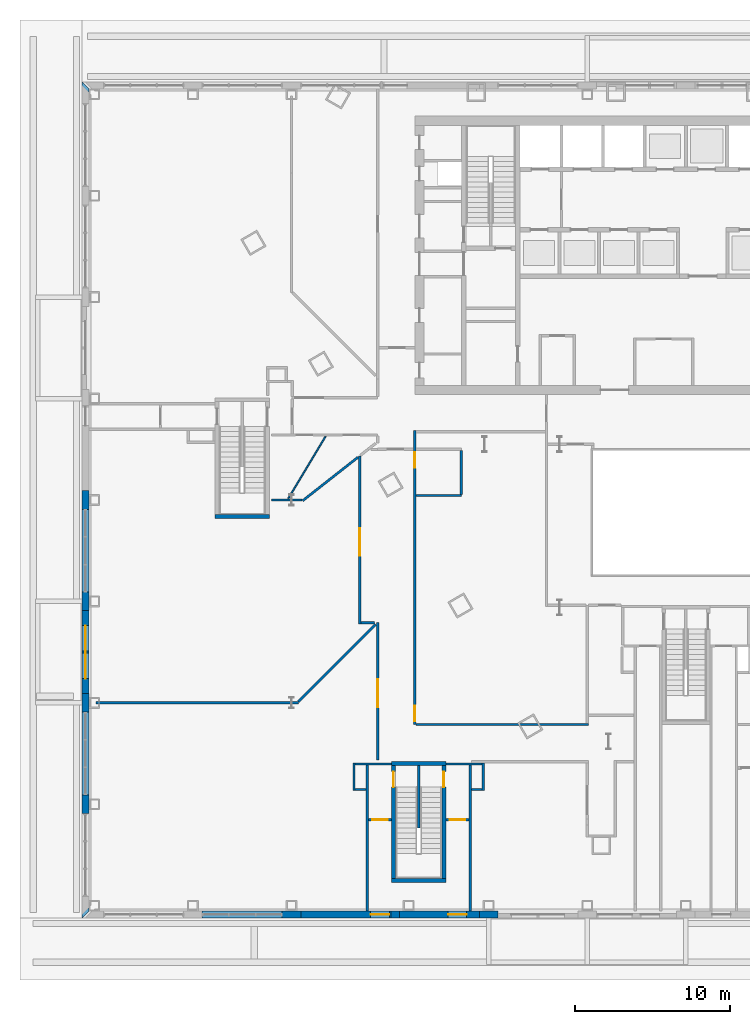
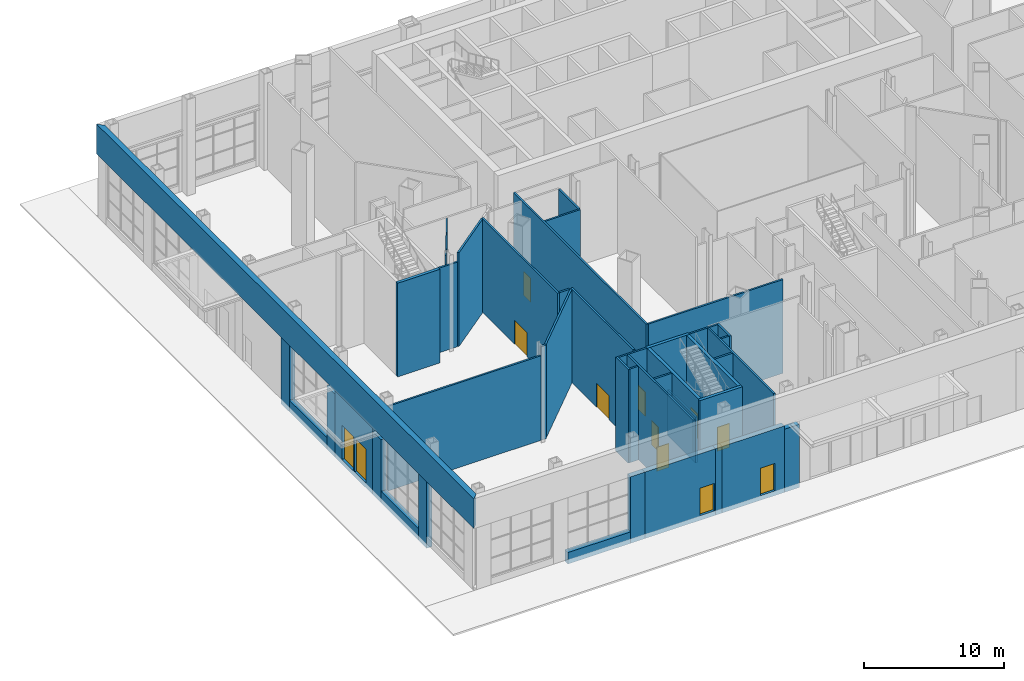
# One storey, part 16 of 34: 43 walls, 12 doors, 12 openings.
"""IFC4 building model written with IfcOpenShell, lengths in metres."""

from ifc_helpers import new_model, si_unit, direction, frame, frame_2d, origin, place, context, subcontext, project, spatial, polyline, rectangle, outline, extrude, material, layer, layer_set, type_object, element, fill, save


model = new_model("IFC4")

# Units and contexts
model_context = context("Model", 3, precision=1e-05, world=origin(), true_north=direction((0.0, 1.0)))
body_context = subcontext(model_context, "Body", "Model", "MODEL_VIEW")
ifc_project = project(units=[si_unit("LENGTHUNIT", "METRE"), si_unit("AREAUNIT", "SQUARE_METRE"), si_unit("VOLUMEUNIT", "CUBIC_METRE"), si_unit("PLANEANGLEUNIT", "RADIAN"), si_unit("MASSUNIT", "GRAM", prefix="KILO")], contexts=[model_context])

# Site, building, storey
site_placement = place(None, origin())
site = spatial("IfcSite", under=ifc_project, at=site_placement, CompositionType="ELEMENT")
building_placement = place(site_placement, origin())
building = spatial("IfcBuilding", under=site, at=building_placement, Name="Njiva Tower", CompositionType="ELEMENT")
storey_placement = place(building_placement, origin())
storey = spatial("IfcBuildingStorey", under=building, at=storey_placement, Name="L00", CompositionType="ELEMENT", Elevation=0.0)

# Wall, opening, door
ifc_material_1 = material(Name="Blockwork", Category="masonry")
ifc_layer_1 = layer(ifc_material_1, 0.15)
ifc_layer_set_1 = layer_set([ifc_layer_1], Name="Blockwork")
wall_type_1 = type_object("IfcWallType", Name="WT2 Lobby partition 150", PredefinedType="PARTITIONING", material=ifc_layer_set_1)
wall_1_placement = place(storey_placement, frame((-20.5, -27.45, 0.0), z_axis=(0.0, 0.0, 1.0), x_axis=(1.0, 0.0, 0.0)))
wall_1 = element("IfcWall", 1, at=wall_1_placement, inside=storey, type_object=wall_type_1, Name="Stair D upper vestibule wall", PredefinedType="PARTITIONING", context=body_context, shape_type="SweptSolid", body=[
    extrude(rectangle(XDim=1.5, YDim=0.15, at=frame_2d((0.75, 0.0))), origin(), (0.0, 0.0, 1.0), 8.18),
])
opening_1_placement = place(wall_1_placement, frame((0.25, 0.0, 0.0)))
opening_1 = element("IfcOpeningElement", 2, at=opening_1_placement, cuts=wall_1, Name="Opening L00-D949", PredefinedType="OPENING", context=body_context, shape_type="SweptSolid", body=[
    extrude(rectangle(XDim=1.0, YDim=2.1, at=frame_2d((0.5, 1.05))), frame((0.0, 0.085, 0.0), z_axis=(0.0, -1.0, 0.0), x_axis=(1.0, 0.0, 0.0)), (0.0, 0.0, 1.0), 0.17),
])
ifc_material_2 = material(Name="Glazed steel fire door", Category="steel")
door_type_1 = type_object("IfcDoorType", Name="D11 Stair passage door 1000x2100 glazed", OperationType="SINGLE_SWING_LEFT", PredefinedType="DOOR", material=ifc_material_2)
door_1_placement = place(opening_1_placement, origin())
door_1 = element("IfcDoor", 3, at=door_1_placement, inside=storey, type_object=door_type_1, Name="Stair D passage door", OperationType="SINGLE_SWING_LEFT", OverallHeight=2.1, OverallWidth=1.0, PredefinedType="DOOR", context=body_context, shape_type="SweptSolid", body=[
    extrude(rectangle(XDim=1.0, YDim=2.1, at=frame_2d((0.5, 1.05))), frame((0.0, 0.025, 0.0), z_axis=(0.0, -1.0, 0.0), x_axis=(1.0, 0.0, 0.0)), (0.0, 0.0, 1.0), 0.05),
])
fill(opening_1, door_1)

wall_2_placement = place(storey_placement, frame((-15.5, -27.45, 0.0), z_axis=(0.0, 0.0, 1.0), x_axis=(1.0, 0.0, 0.0)))
wall_2 = element("IfcWall", 4, at=wall_2_placement, inside=storey, type_object=wall_type_1, Name="Stair D basement vestibule wall", PredefinedType="PARTITIONING", context=body_context, shape_type="SweptSolid", body=[
    extrude(rectangle(XDim=1.5, YDim=0.15, at=frame_2d((0.75, 0.0))), origin(), (0.0, 0.0, 1.0), 8.18),
])
opening_2_placement = place(wall_2_placement, frame((0.25, 0.0, 0.0)))
opening_2 = element("IfcOpeningElement", 5, at=opening_2_placement, cuts=wall_2, Name="Opening L00-D951", PredefinedType="OPENING", context=body_context, shape_type="SweptSolid", body=[
    extrude(rectangle(XDim=1.0, YDim=2.1, at=frame_2d((0.5, 1.05))), frame((0.0, 0.085, 0.0), z_axis=(0.0, -1.0, 0.0), x_axis=(1.0, 0.0, 0.0)), (0.0, 0.0, 1.0), 0.17),
])
door_2_placement = place(opening_2_placement, origin())
door_2 = element("IfcDoor", 6, at=door_2_placement, inside=storey, type_object=door_type_1, Name="Stair D passage door", OperationType="SINGLE_SWING_LEFT", OverallHeight=2.1, OverallWidth=1.0, PredefinedType="DOOR", context=body_context, shape_type="SweptSolid", body=[
    extrude(rectangle(XDim=1.0, YDim=2.1, at=frame_2d((0.5, 1.05))), frame((0.0, 0.025, 0.0), z_axis=(0.0, -1.0, 0.0), x_axis=(1.0, 0.0, 0.0)), (0.0, 0.0, 1.0), 0.05),
])
fill(opening_2, door_2)

# Walls
ifc_material_3 = material(Name="Gypsum board on steel studs", Category="gypsum")
ifc_layer_2 = layer(ifc_material_3, 0.1)
ifc_layer_set_2 = layer_set([ifc_layer_2], Name="Gypsum board on steel studs")
wall_type_2 = type_object("IfcWallType", Name="WT20 Gypsum partition 100", PredefinedType="PARTITIONING", material=ifc_layer_set_2)
wall_3_placement = place(storey_placement, frame((-25.672, -6.699, 0.0), z_axis=(0.0, 0.0, 1.0), x_axis=(0.5148425828, 0.857284733875, 0.0)))
element("IfcWall", 7, at=wall_3_placement, inside=storey, type_object=wall_type_2, Name="Partition L00-P010", PredefinedType="PARTITIONING", context=body_context, shape_type="SweptSolid", body=[
    extrude(rectangle(XDim=4.6636, YDim=0.1, at=frame_2d((2.3318, 0.0))), origin(), (0.0, 0.0, 1.0), 8.18),
])
ifc_layer_3 = layer(ifc_material_3, 0.15)
ifc_layer_set_3 = layer_set([ifc_layer_3], Name="Gypsum board on steel studs")
wall_type_3 = type_object("IfcWallType", Name="WT21 Compartment wall 150", PredefinedType="PARTITIONING", material=ifc_layer_set_3)
wall_4_placement = place(storey_placement, frame((-38.1, -19.9, 0.0), z_axis=(0.0, 0.0, 1.0), x_axis=(1.0, 0.0, 0.0)))
element("IfcWall", 8, at=wall_4_placement, inside=storey, type_object=wall_type_3, Name="Partition L00-P001", PredefinedType="PARTITIONING", context=body_context, shape_type="SweptSolid", body=[
    extrude(rectangle(XDim=12.633, YDim=0.15, at=frame_2d((6.3165, 0.0))), origin(), (0.0, 0.0, 1.0), 7.39),
])
wall_5_placement = place(storey_placement, frame((-25.467, -19.9, 0.0), z_axis=(0.0, 0.0, 1.0), x_axis=(1.0, 0.0, 0.0)))
element("IfcWall", 9, at=wall_5_placement, inside=storey, type_object=wall_type_3, Name="Partition L00-P001A", PredefinedType="PARTITIONING", context=body_context, shape_type="SweptSolid", body=[
    extrude(rectangle(XDim=0.44, YDim=0.15, at=frame_2d((0.22, 0.0))), origin(), (0.0, 0.0, 1.0), 8.18),
])
wall_6_placement = place(storey_placement, frame((-26.75, -6.8, 0.0), z_axis=(0.0, 0.0, 1.0), x_axis=(1.0, 0.0, 0.0)))
element("IfcWall", 10, at=wall_6_placement, inside=storey, type_object=wall_type_3, Name="Partition L00-P006", PredefinedType="PARTITIONING", context=body_context, shape_type="SweptSolid", body=[
    extrude(rectangle(XDim=1.959, YDim=0.15, at=frame_2d((0.9795, 0.0))), origin(), (0.0, 0.0, 1.0), 7.39),
])
wall_7_placement = place(storey_placement, frame((-25.027, -19.825, 0.0), z_axis=(0.0, 0.0, 1.0), x_axis=(0.707106781187, 0.707106781187, 0.0)))
element("IfcWall", 11, at=wall_7_placement, inside=storey, type_object=wall_type_3, Name="Partition L00-P016", PredefinedType="PARTITIONING", context=body_context, shape_type="SweptSolid", body=[
    extrude(rectangle(XDim=7.0697, YDim=0.15, at=frame_2d((3.5348, 0.0))), origin(), (0.0, 0.0, 1.0), 8.18),
])
wall_8_placement = place(storey_placement, frame((-24.745, -6.846, 0.0), z_axis=(0.0, 0.0, 1.0), x_axis=(0.786333607762, 0.617802118242, 0.0)))
element("IfcWall", 12, at=wall_8_placement, inside=storey, type_object=wall_type_3, Name="Partition L00-P017", PredefinedType="PARTITIONING", context=body_context, shape_type="SweptSolid", body=[
    extrude(rectangle(XDim=4.5451, YDim=0.15, at=frame_2d((2.2726, 0.0))), origin(), (0.0, 0.0, 1.0), 8.18),
])

# Wall, opening, door
wall_9_placement = place(storey_placement, frame((-21.05, -14.803, 0.0), z_axis=(0.0, 0.0, 1.0), x_axis=(0.0, 1.0, 0.0)))
wall_9 = element("IfcWall", 13, at=wall_9_placement, inside=storey, type_object=wall_type_3, Name="Partition L00-P018", PredefinedType="PARTITIONING", context=body_context, shape_type="SweptSolid", body=[
    extrude(rectangle(XDim=10.86, YDim=0.15, at=frame_2d((5.43, 0.0))), origin(), (0.0, 0.0, 1.0), 8.18),
])
opening_3_placement = place(wall_9_placement, frame((4.392, 0.0, 0.0)))
opening_3 = element("IfcOpeningElement", 14, at=opening_3_placement, cuts=wall_9, Name="Opening L00-D005", PredefinedType="OPENING", context=body_context, shape_type="SweptSolid", body=[
    extrude(rectangle(XDim=1.8, YDim=2.1, at=frame_2d((0.9, 1.05))), frame((0.0, 0.085, 0.0), z_axis=(0.0, -1.0, 0.0), x_axis=(1.0, 0.0, 0.0)), (0.0, 0.0, 1.0), 0.17),
])
ifc_material_4 = material(Name="Steel fire door set", Category="steel")
door_type_2 = type_object("IfcDoorType", Name="D38 Fire door 1800x2100", OperationType="DOUBLE_DOOR_SINGLE_SWING", PredefinedType="DOOR", material=ifc_material_4)
door_3_placement = place(opening_3_placement, origin())
door_3 = element("IfcDoor", 15, at=door_3_placement, inside=storey, type_object=door_type_2, Name="Door L00-D005", OperationType="DOUBLE_DOOR_SINGLE_SWING", OverallHeight=2.1, OverallWidth=1.8, PredefinedType="DOOR", context=body_context, shape_type="SweptSolid", body=[
    extrude(rectangle(XDim=1.8, YDim=2.1, at=frame_2d((0.9, 1.05))), frame((0.0, 0.025, 0.0), z_axis=(0.0, -1.0, 0.0), x_axis=(1.0, 0.0, 0.0)), (0.0, 0.0, 1.0), 0.05),
])
fill(opening_3, door_3)

# Wall
wall_10_placement = place(storey_placement, frame((-20.975, -14.728, 0.0), z_axis=(0.0, 0.0, 1.0), x_axis=(1.0, 0.0, 0.0)))
element("IfcWall", 16, at=wall_10_placement, inside=storey, type_object=wall_type_3, Name="Partition L00-P020", PredefinedType="PARTITIONING", context=body_context, shape_type="SweptSolid", body=[
    extrude(rectangle(XDim=0.864, YDim=0.15, at=frame_2d((0.432, 0.0))), origin(), (0.0, 0.0, 1.0), 8.18),
])

# Wall, opening, door
wall_11_placement = place(storey_placement, frame((-19.9, -23.6, 0.0), z_axis=(0.0, 0.0, 1.0), x_axis=(0.0, 1.0, 0.0)))
wall_11 = element("IfcWall", 17, at=wall_11_placement, inside=storey, type_object=wall_type_3, Name="Partition L00-P023", PredefinedType="PARTITIONING", context=body_context, shape_type="SweptSolid", body=[
    extrude(rectangle(XDim=8.902, YDim=0.15, at=frame_2d((4.451, 0.0))), origin(), (0.0, 0.0, 1.0), 8.18),
])
opening_4_placement = place(wall_11_placement, frame((3.424, 0.0, 0.0)))
opening_4 = element("IfcOpeningElement", 18, at=opening_4_placement, cuts=wall_11, Name="Opening L00-D006", PredefinedType="OPENING", context=body_context, shape_type="SweptSolid", body=[
    extrude(rectangle(XDim=1.8, YDim=2.1, at=frame_2d((0.9, 1.05))), frame((0.0, 0.085, 0.0), z_axis=(0.0, -1.0, 0.0), x_axis=(1.0, 0.0, 0.0)), (0.0, 0.0, 1.0), 0.17),
])
door_4_placement = place(opening_4_placement, origin())
door_4 = element("IfcDoor", 19, at=door_4_placement, inside=storey, type_object=door_type_2, Name="Door L00-D006", OperationType="DOUBLE_DOOR_SINGLE_SWING", OverallHeight=2.1, OverallWidth=1.8, PredefinedType="DOOR", context=body_context, shape_type="SweptSolid", body=[
    extrude(rectangle(XDim=1.8, YDim=2.1, at=frame_2d((0.9, 1.05))), frame((0.0, 0.025, 0.0), z_axis=(0.0, -1.0, 0.0), x_axis=(1.0, 0.0, 0.0)), (0.0, 0.0, 1.0), 0.05),
])
fill(opening_4, door_4)

# Wall, openings, doors
wall_12_placement = place(storey_placement, frame((-17.5, -21.296, 0.0), z_axis=(0.0, 0.0, 1.0), x_axis=(0.0, 1.0, 0.0)))
wall_12 = element("IfcWall", 20, at=wall_12_placement, inside=storey, type_object=wall_type_3, Name="Partition L00-P029", PredefinedType="PARTITIONING", context=body_context, shape_type="SweptSolid", body=[
    extrude(rectangle(XDim=18.971, YDim=0.15, at=frame_2d((9.4855, 0.0))), origin(), (0.0, 0.0, 1.0), 8.18),
])
opening_5_placement = place(wall_12_placement, frame((0.2, 0.0, 0.0)))
opening_5 = element("IfcOpeningElement", 21, at=opening_5_placement, cuts=wall_12, Name="Opening L00-D010", PredefinedType="OPENING", context=body_context, shape_type="SweptSolid", body=[
    extrude(rectangle(XDim=1.0, YDim=2.1, at=frame_2d((0.5, 1.05))), frame((0.0, 0.085, 0.0), z_axis=(0.0, -1.0, 0.0), x_axis=(1.0, 0.0, 0.0)), (0.0, 0.0, 1.0), 0.17),
])
opening_6_placement = place(wall_12_placement, frame((16.583, 0.0, 0.0)))
opening_6 = element("IfcOpeningElement", 22, at=opening_6_placement, cuts=wall_12, Name="Opening L00-D011", PredefinedType="OPENING", context=body_context, shape_type="SweptSolid", body=[
    extrude(rectangle(XDim=1.0, YDim=2.1, at=frame_2d((0.5, 1.05))), frame((0.0, 0.085, 0.0), z_axis=(0.0, -1.0, 0.0), x_axis=(1.0, 0.0, 0.0)), (0.0, 0.0, 1.0), 0.17),
])
door_type_3 = type_object("IfcDoorType", Name="D37 Fire door 1000x2100", OperationType="SINGLE_SWING_LEFT", PredefinedType="DOOR", material=ifc_material_4)
door_5_placement = place(opening_5_placement, origin())
door_5 = element("IfcDoor", 23, at=door_5_placement, inside=storey, type_object=door_type_3, Name="Door L00-D010", OperationType="SINGLE_SWING_LEFT", OverallHeight=2.1, OverallWidth=1.0, PredefinedType="DOOR", context=body_context, shape_type="SweptSolid", body=[
    extrude(rectangle(XDim=1.0, YDim=2.1, at=frame_2d((0.5, 1.05))), frame((0.0, 0.025, 0.0), z_axis=(0.0, -1.0, 0.0), x_axis=(1.0, 0.0, 0.0)), (0.0, 0.0, 1.0), 0.05),
])
fill(opening_5, door_5)
door_6_placement = place(opening_6_placement, origin())
door_6 = element("IfcDoor", 24, at=door_6_placement, inside=storey, type_object=door_type_3, Name="Door L00-D011", OperationType="SINGLE_SWING_RIGHT", OverallHeight=2.1, OverallWidth=1.0, PredefinedType="DOOR", context=body_context, shape_type="SweptSolid", body=[
    extrude(rectangle(XDim=1.0, YDim=2.1, at=frame_2d((0.5, 1.05))), frame((0.0, 0.025, 0.0), z_axis=(0.0, -1.0, 0.0), x_axis=(1.0, 0.0, 0.0)), (0.0, 0.0, 1.0), 0.05),
])
fill(opening_6, door_6)

# Walls
wall_13_placement = place(storey_placement, frame((-17.425, -6.513, 0.0), z_axis=(0.0, 0.0, 1.0), x_axis=(1.0, 0.0, 0.0)))
element("IfcWall", 25, at=wall_13_placement, inside=storey, type_object=wall_type_3, Name="Partition L00-P030", PredefinedType="PARTITIONING", context=body_context, shape_type="SweptSolid", body=[
    extrude(rectangle(XDim=2.925, YDim=0.15, at=frame_2d((1.4625, 0.0))), origin(), (0.0, 0.0, 1.0), 8.18),
])
wall_14_placement = place(storey_placement, frame((-17.425, -21.3, 0.0), z_axis=(0.0, 0.0, 1.0), x_axis=(0.999999995966, 8.9823048e-05, 0.0)))
element("IfcWall", 26, at=wall_14_placement, inside=storey, type_object=wall_type_3, Name="Partition L00-P033", PredefinedType="PARTITIONING", context=body_context, shape_type="SweptSolid", body=[
    extrude(rectangle(XDim=11.133, YDim=0.15, at=frame_2d((5.5665, 0.0))), origin(), (0.0, 0.0, 1.0), 8.18),
])
wall_15_placement = place(storey_placement, frame((-14.5, -6.438, 0.0), z_axis=(0.0, 0.0, 1.0), x_axis=(0.0, 1.0, 0.0)))
element("IfcWall", 27, at=wall_15_placement, inside=storey, type_object=wall_type_3, Name="Partition L00-P034", PredefinedType="PARTITIONING", context=body_context, shape_type="SweptSolid", body=[
    extrude(rectangle(XDim=2.85, YDim=0.15, at=frame_2d((1.425, 0.0))), origin(), (0.0, 0.0, 1.0), 8.18),
])
ifc_layer_4 = layer(ifc_material_1, 0.15)
ifc_layer_set_4 = layer_set([ifc_layer_4], Name="Blockwork")
wall_type_4 = type_object("IfcWallType", Name="WT4 Stair partition 150", PredefinedType="PARTITIONING", material=ifc_layer_set_4)
wall_16_placement = place(storey_placement, frame((-17.25, -27.97, 0.0), z_axis=(0.0, 0.0, 1.0), x_axis=(0.0, 1.0, 0.0)))
element("IfcWall", 28, at=wall_16_placement, inside=storey, type_object=wall_type_4, Name="Stair D dividing wall", PredefinedType="PARTITIONING", context=body_context, shape_type="SweptSolid", body=[
    extrude(rectangle(XDim=4.02, YDim=0.15, at=frame_2d((2.01, 0.0))), origin(), (0.0, 0.0, 1.0), 4.0),
])
wall_17_placement = place(storey_placement, frame((-20.575, -33.35, 0.0), z_axis=(0.0, 0.0, 1.0), x_axis=(0.0, 1.0, 0.0)))
element("IfcWall", 29, at=wall_17_placement, inside=storey, type_object=wall_type_4, Name="Stair D upper exit passage wall outer", PredefinedType="PARTITIONING", context=body_context, shape_type="SweptSolid", body=[
    extrude(rectangle(XDim=9.425, YDim=0.15, at=frame_2d((4.7125, 0.0))), origin(), (0.0, 0.0, 1.0), 8.18),
])
wall_18_placement = place(storey_placement, frame((-19.0, -23.85, 0.0), z_axis=(0.0, 0.0, 1.0), x_axis=(-1.0, 0.0, 0.0)))
element("IfcWall", 30, at=wall_18_placement, inside=storey, type_object=wall_type_4, Name="Stair D upper exit passage wall north", PredefinedType="PARTITIONING", context=body_context, shape_type="SweptSolid", body=[
    extrude(rectangle(XDim=2.35, YDim=0.15, at=frame_2d((1.175, 0.0))), origin(), (0.0, 0.0, 1.0), 8.18),
])
wall_19_placement = place(storey_placement, frame((-21.425, -25.575, 0.0), z_axis=(0.0, 0.0, 1.0), x_axis=(0.0, 1.0, 0.0)))
element("IfcWall", 31, at=wall_19_placement, inside=storey, type_object=wall_type_4, Name="Stair D upper pressurisation shaft wall", PredefinedType="PARTITIONING", context=body_context, shape_type="SweptSolid", body=[
    extrude(rectangle(XDim=1.8, YDim=0.15, at=frame_2d((0.9, 0.0))), origin(), (0.0, 0.0, 1.0), 8.18),
])
wall_20_placement = place(storey_placement, frame((-20.65, -25.5, 0.0), z_axis=(0.0, 0.0, 1.0), x_axis=(-1.0, 0.0, 0.0)))
element("IfcWall", 32, at=wall_20_placement, inside=storey, type_object=wall_type_4, Name="Stair D upper pressurisation shaft wall", PredefinedType="PARTITIONING", context=body_context, shape_type="SweptSolid", body=[
    extrude(rectangle(XDim=0.7, YDim=0.15, at=frame_2d((0.35, 0.0))), origin(), (0.0, 0.0, 1.0), 8.18),
])
wall_21_placement = place(storey_placement, frame((-13.925, -33.35, 0.0), z_axis=(0.0, 0.0, 1.0), x_axis=(0.0, 1.0, 0.0)))
element("IfcWall", 33, at=wall_21_placement, inside=storey, type_object=wall_type_4, Name="Stair D basement exit passage wall outer", PredefinedType="PARTITIONING", context=body_context, shape_type="SweptSolid", body=[
    extrude(rectangle(XDim=9.425, YDim=0.15, at=frame_2d((4.7125, 0.0))), origin(), (0.0, 0.0, 1.0), 8.18),
])
wall_22_placement = place(storey_placement, frame((-15.5, -23.85, 0.0), z_axis=(0.0, 0.0, 1.0), x_axis=(1.0, 0.0, 0.0)))
element("IfcWall", 34, at=wall_22_placement, inside=storey, type_object=wall_type_4, Name="Stair D basement exit passage wall north", PredefinedType="PARTITIONING", context=body_context, shape_type="SweptSolid", body=[
    extrude(rectangle(XDim=2.35, YDim=0.15, at=frame_2d((1.175, 0.0))), origin(), (0.0, 0.0, 1.0), 8.18),
])
wall_23_placement = place(storey_placement, frame((-13.075, -25.575, 0.0), z_axis=(0.0, 0.0, 1.0), x_axis=(0.0, 1.0, 0.0)))
element("IfcWall", 35, at=wall_23_placement, inside=storey, type_object=wall_type_4, Name="Stair D basement pressurisation shaft wall", PredefinedType="PARTITIONING", context=body_context, shape_type="SweptSolid", body=[
    extrude(rectangle(XDim=1.8, YDim=0.15, at=frame_2d((0.9, 0.0))), origin(), (0.0, 0.0, 1.0), 8.18),
])
wall_24_placement = place(storey_placement, frame((-13.85, -25.5, 0.0), z_axis=(0.0, 0.0, 1.0), x_axis=(1.0, 0.0, 0.0)))
element("IfcWall", 36, at=wall_24_placement, inside=storey, type_object=wall_type_4, Name="Stair D basement pressurisation shaft wall", PredefinedType="PARTITIONING", context=body_context, shape_type="SweptSolid", body=[
    extrude(rectangle(XDim=0.7, YDim=0.15, at=frame_2d((0.35, 0.0))), origin(), (0.0, 0.0, 1.0), 8.18),
])

# Wall, opening, door
ifc_material_5 = material(Name="Concrete C40/50", Category="concrete")
ifc_layer_5 = layer(ifc_material_5, 0.25)
ifc_layer_set_5 = layer_set([ifc_layer_5], Name="Concrete C40/50")
wall_type_5 = type_object("IfcWallType", Name="WT9 Stair enclosure wall 250", PredefinedType="SHEAR", material=ifc_layer_set_5)
wall_25_placement = place(storey_placement, frame((-18.875, -31.25, 0.0), z_axis=(0.0, 0.0, 1.0), x_axis=(0.0, 1.0, 0.0)))
wall_25 = element("IfcWall", 37, at=wall_25_placement, inside=storey, type_object=wall_type_5, Name="Stair D wall west", PredefinedType="SHEAR", context=body_context, shape_type="SweptSolid", body=[
    extrude(rectangle(XDim=7.3, YDim=0.25, at=frame_2d((3.65, 0.0))), origin(), (0.0, 0.0, 1.0), 8.18),
])
opening_7_placement = place(wall_25_placement, frame((5.9, 0.0, 0.0)))
opening_7 = element("IfcOpeningElement", 38, at=opening_7_placement, cuts=wall_25, Name="Opening L00-D948", PredefinedType="OPENING", context=body_context, shape_type="SweptSolid", body=[
    extrude(rectangle(XDim=1.0, YDim=2.1, at=frame_2d((0.5, 1.05))), frame((0.0, 0.135, 0.0), z_axis=(0.0, -1.0, 0.0), x_axis=(1.0, 0.0, 0.0)), (0.0, 0.0, 1.0), 0.27),
])
door_type_4 = type_object("IfcDoorType", Name="D9 Stair vestibule door 1000x2100 glazed", OperationType="SINGLE_SWING_LEFT", PredefinedType="DOOR", material=ifc_material_2)
door_7_placement = place(opening_7_placement, origin())
door_7 = element("IfcDoor", 39, at=door_7_placement, inside=storey, type_object=door_type_4, Name="Stair D door", OperationType="SINGLE_SWING_LEFT", OverallHeight=2.1, OverallWidth=1.0, PredefinedType="DOOR", context=body_context, shape_type="SweptSolid", body=[
    extrude(rectangle(XDim=1.0, YDim=2.1, at=frame_2d((0.5, 1.05))), frame((0.0, 0.025, 0.0), z_axis=(0.0, -1.0, 0.0), x_axis=(1.0, 0.0, 0.0)), (0.0, 0.0, 1.0), 0.05),
])
fill(opening_7, door_7)

wall_26_placement = place(storey_placement, frame((-15.625, -31.25, 0.0), z_axis=(0.0, 0.0, 1.0), x_axis=(0.0, 1.0, 0.0)))
wall_26 = element("IfcWall", 40, at=wall_26_placement, inside=storey, type_object=wall_type_5, Name="Stair D wall east", PredefinedType="SHEAR", context=body_context, shape_type="SweptSolid", body=[
    extrude(rectangle(XDim=7.3, YDim=0.25, at=frame_2d((3.65, 0.0))), origin(), (0.0, 0.0, 1.0), 8.18),
])
opening_8_placement = place(wall_26_placement, frame((5.9, 0.0, 0.0)))
opening_8 = element("IfcOpeningElement", 41, at=opening_8_placement, cuts=wall_26, Name="Opening L00-D950", PredefinedType="OPENING", context=body_context, shape_type="SweptSolid", body=[
    extrude(rectangle(XDim=1.0, YDim=2.1, at=frame_2d((0.5, 1.05))), frame((0.0, 0.135, 0.0), z_axis=(0.0, -1.0, 0.0), x_axis=(1.0, 0.0, 0.0)), (0.0, 0.0, 1.0), 0.27),
])
door_8_placement = place(opening_8_placement, origin())
door_8 = element("IfcDoor", 42, at=door_8_placement, inside=storey, type_object=door_type_4, Name="Stair D door", OperationType="SINGLE_SWING_RIGHT", OverallHeight=2.1, OverallWidth=1.0, PredefinedType="DOOR", context=body_context, shape_type="SweptSolid", body=[
    extrude(rectangle(XDim=1.0, YDim=2.1, at=frame_2d((0.5, 1.05))), frame((0.0, 0.025, 0.0), z_axis=(0.0, -1.0, 0.0), x_axis=(1.0, 0.0, 0.0)), (0.0, 0.0, 1.0), 0.05),
])
fill(opening_8, door_8)

# Walls
for number, where, z_axis, x_axis, name in (
    (43, (-19.0, -31.375, 0.0), (0.0, 0.0, 1.0), (1.0, 0.0, 0.0), "Stair D wall south"),
    (44, (-19.0, -23.825, 0.0), (0.0, 0.0, 1.0), (1.0, 0.0, 0.0), "Stair D wall north"),
    (45, (-30.4, -7.875, 0.0), (0.0, 0.0, 1.0), (1.0, 0.0, 0.0), "Stair F wall south"),
):
    element("IfcWall", number, at=place(storey_placement, frame(where, z_axis=z_axis, x_axis=x_axis)), inside=storey, type_object=wall_type_5, Name=name, PredefinedType="SHEAR", context=body_context, shape_type="SweptSolid", body=[
        extrude(rectangle(XDim=3.5, YDim=0.25, at=frame_2d((1.75, 0.0))), origin(), (0.0, 0.0, 1.0), 8.18),
    ])
ifc_material_6 = material(Name="Brick masonry", Category="masonry")
ifc_layer_6 = layer(ifc_material_6, 0.45)
ifc_layer_set_6 = layer_set([ifc_layer_6], Name="Brick masonry")
wall_type_6 = type_object("IfcWallType", Name="WT90 Brick pier and spandrel wall 450", PredefinedType="SOLIDWALL", material=ifc_layer_set_6)
wall_27_placement = place(storey_placement, frame((-38.775, 19.975, 5.4), z_axis=(0.0, 0.0, 1.0), x_axis=(0.0, -1.0, 0.0)))
element("IfcWall", 46, at=wall_27_placement, inside=storey, type_object=wall_type_6, Name="Podium frieze W", PredefinedType="SOLIDWALL", context=body_context, shape_type="SweptSolid", body=[
    extrude(outline(polyline([(-0.225, -0.225), (53.775, -0.225), (53.325, 0.225), (0.225, 0.225), (-0.225, -0.225)])), origin(), (0.0, 0.0, 1.0), 2.6),
])
wall_28_placement = place(storey_placement, frame((-38.775, -6.2, -0.4), z_axis=(0.0, 0.0, 1.0), x_axis=(0.0, -1.0, 0.0)))
element("IfcWall", 47, at=wall_28_placement, inside=storey, type_object=wall_type_6, Name="Podium pier W5", PredefinedType="SOLIDWALL", context=body_context, shape_type="SweptSolid", body=[
    extrude(outline(polyline([(0.0, -0.225), (1.2, -0.225), (1.2, 0.225), (0.0, 0.225), (0.0, -0.225)])), origin(), (0.0, 0.0, 1.0), 5.8),
])
for number, where, z_axis, x_axis, name in (
    (48, (-38.775, -12.75, -0.4), (0.0, 0.0, 1.0), (0.0, -1.0, 0.0), "Podium pier W6"),
    (49, (-38.775, -19.3, -0.4), (0.0, 0.0, 1.0), (0.0, -1.0, 0.0), "Podium pier W7"),
):
    element("IfcWall", number, at=place(storey_placement, frame(where, z_axis=z_axis, x_axis=x_axis)), inside=storey, type_object=wall_type_6, Name=name, PredefinedType="SOLIDWALL", context=body_context, shape_type="SweptSolid", body=[
        extrude(outline(polyline([(0.0, -0.225), (1.2, -0.225), (1.2, 0.225), (0.0, 0.225), (0.0, -0.225)])), origin(), (0.0, 0.0, 1.0), 5.51),
    ])
wall_29_placement = place(storey_placement, frame((-38.775, -25.85, -0.4), z_axis=(0.0, 0.0, 1.0), x_axis=(0.0, -1.0, 0.0)))
element("IfcWall", 50, at=wall_29_placement, inside=storey, type_object=wall_type_6, Name="Podium pier W8", PredefinedType="SOLIDWALL", context=body_context, shape_type="SweptSolid", body=[
    extrude(outline(polyline([(0.0, -0.225), (1.2, -0.225), (1.2, 0.225), (0.0, 0.225), (0.0, -0.225)])), origin(), (0.0, 0.0, 1.0), 5.8),
])
for number, where, z_axis, x_axis, name in (
    (51, (-38.775, -7.4, -0.4), (0.0, 0.0, 1.0), (0.0, -1.0, 0.0), "Shopfront plinth W5"),
    (52, (-38.775, -20.5, -0.4), (0.0, 0.0, 1.0), (0.0, -1.0, 0.0), "Shopfront plinth W7"),
):
    element("IfcWall", number, at=place(storey_placement, frame(where, z_axis=z_axis, x_axis=x_axis)), inside=storey, type_object=wall_type_6, Name=name, PredefinedType="SOLIDWALL", context=body_context, shape_type="SweptSolid", body=[
        extrude(outline(polyline([(0.0, -0.225), (5.35, -0.225), (5.35, 0.225), (0.0, 0.225), (0.0, -0.225)])), origin(), (0.0, 0.0, 1.0), 1.0),
    ])
wall_30_placement = place(storey_placement, frame((-26.0667, -33.575, -0.4), z_axis=(0.0, 0.0, 1.0), x_axis=(1.0, 0.0, 0.0)))
element("IfcWall", 53, at=wall_30_placement, inside=storey, type_object=wall_type_6, Name="Podium pier S3", PredefinedType="SOLIDWALL", context=body_context, shape_type="SweptSolid", body=[
    extrude(outline(polyline([(0.0, -0.225), (1.2, -0.225), (1.2, 0.225), (0.0, 0.225), (0.0, -0.225)])), origin(), (0.0, 0.0, 1.0), 5.8),
])
wall_31_placement = place(storey_placement, frame((-19.05, -33.575, -0.4), z_axis=(0.0, 0.0, 1.0), x_axis=(1.0, 0.0, 0.0)))
element("IfcWall", 54, at=wall_31_placement, inside=storey, type_object=wall_type_6, Name="Podium pier S4", PredefinedType="SOLIDWALL", context=body_context, shape_type="SweptSolid", body=[
    extrude(outline(polyline([(0.0, -0.225), (0.55, -0.225), (0.55, 0.225), (0.0, 0.225), (0.0, -0.225)])), origin(), (0.0, 0.0, 1.0), 5.8),
])
wall_32_placement = place(storey_placement, frame((-13.3333, -33.575, -0.4), z_axis=(0.0, 0.0, 1.0), x_axis=(1.0, 0.0, 0.0)))
element("IfcWall", 55, at=wall_32_placement, inside=storey, type_object=wall_type_6, Name="Podium pier S5", PredefinedType="SOLIDWALL", context=body_context, shape_type="SweptSolid", body=[
    extrude(outline(polyline([(0.0, -0.225), (1.2, -0.225), (1.2, 0.225), (0.0, 0.225), (0.0, -0.225)])), origin(), (0.0, 0.0, 1.0), 5.51),
])
wall_33_placement = place(storey_placement, frame((-31.2333, -33.575, -0.4), z_axis=(0.0, 0.0, 1.0), x_axis=(1.0, 0.0, 0.0)))
element("IfcWall", 56, at=wall_33_placement, inside=storey, type_object=wall_type_6, Name="Shopfront plinth S2", PredefinedType="SOLIDWALL", context=body_context, shape_type="SweptSolid", body=[
    extrude(outline(polyline([(0.0, -0.225), (5.1666, -0.225), (5.1666, 0.225), (0.0, 0.225), (0.0, -0.225)])), origin(), (0.0, 0.0, 1.0), 1.0),
])

# Wall, openings, doors
ifc_layer_7 = layer(ifc_material_6, 0.45)
ifc_layer_set_7 = layer_set([ifc_layer_7], Name="Brick masonry")
wall_type_7 = type_object("IfcWallType", Name="WT91 Entrance infill wall 450", PredefinedType="SOLIDWALL", material=ifc_layer_set_7)
wall_34_placement = place(storey_placement, frame((-38.775, -13.95, -0.4), z_axis=(0.0, 0.0, 1.0), x_axis=(0.0, -1.0, 0.0)))
wall_34 = element("IfcWall", 57, at=wall_34_placement, inside=storey, type_object=wall_type_7, Name="Entrance infill W6", PredefinedType="SOLIDWALL", context=body_context, shape_type="SweptSolid", body=[
    extrude(outline(polyline([(0.0, -0.225), (5.35, -0.225), (5.35, 0.225), (0.0, 0.225), (0.0, -0.225)])), origin(), (0.0, 0.0, 1.0), 5.8),
])
opening_9_placement = place(wall_34_placement, frame((0.965, 0.0, 0.4)))
opening_9 = element("IfcOpeningElement", 58, at=opening_9_placement, cuts=wall_34, Name="Opening L00-D07", PredefinedType="OPENING", context=body_context, shape_type="SweptSolid", body=[
    extrude(rectangle(XDim=1.65, YDim=3.0, at=frame_2d((0.825, 1.5))), frame((0.0, 0.235, 0.0), z_axis=(0.0, -1.0, 0.0), x_axis=(1.0, 0.0, 0.0)), (0.0, 0.0, 1.0), 0.47),
])
opening_10_placement = place(wall_34_placement, frame((2.735, 0.0, 0.4)))
opening_10 = element("IfcOpeningElement", 59, at=opening_10_placement, cuts=wall_34, Name="Opening L00-D19", PredefinedType="OPENING", context=body_context, shape_type="SweptSolid", body=[
    extrude(rectangle(XDim=1.65, YDim=3.0, at=frame_2d((0.825, 1.5))), frame((0.0, 0.235, 0.0), z_axis=(0.0, -1.0, 0.0), x_axis=(1.0, 0.0, 0.0)), (0.0, 0.0, 1.0), 0.47),
])
ifc_material_7 = material(Name="Aluminium frame with clear glazing", Category="aluminium")
door_type_5 = type_object("IfcDoorType", Name="D93 Entrance door 1650x3000", OperationType="DOUBLE_DOOR_DOUBLE_SWING", PredefinedType="DOOR", material=ifc_material_7)
door_9_placement = place(opening_9_placement, frame((1.65, 0.0, 0.0), z_axis=(0.0, 0.0, 1.0), x_axis=(-1.0, 0.0, 0.0)))
door_9 = element("IfcDoor", 60, at=door_9_placement, inside=storey, type_object=door_type_5, Name="Station entrance door", OperationType="DOUBLE_DOOR_DOUBLE_SWING", OverallHeight=3.0, OverallWidth=1.65, PredefinedType="DOOR", context=body_context, shape_type="SweptSolid", body=[
    extrude(rectangle(XDim=1.65, YDim=3.0, at=frame_2d((0.825, 1.5))), frame((0.0, 0.025, 0.0), z_axis=(0.0, -1.0, 0.0), x_axis=(1.0, 0.0, 0.0)), (0.0, 0.0, 1.0), 0.05),
])
fill(opening_9, door_9)
door_10_placement = place(opening_10_placement, frame((1.65, 0.0, 0.0), z_axis=(0.0, 0.0, 1.0), x_axis=(-1.0, 0.0, 0.0)))
door_10 = element("IfcDoor", 61, at=door_10_placement, inside=storey, type_object=door_type_5, Name="Station entrance door", OperationType="DOUBLE_DOOR_DOUBLE_SWING", OverallHeight=3.0, OverallWidth=1.65, PredefinedType="DOOR", context=body_context, shape_type="SweptSolid", body=[
    extrude(rectangle(XDim=1.65, YDim=3.0, at=frame_2d((0.825, 1.5))), frame((0.0, 0.025, 0.0), z_axis=(0.0, -1.0, 0.0), x_axis=(1.0, 0.0, 0.0)), (0.0, 0.0, 1.0), 0.05),
])
fill(opening_10, door_10)

# Wall, opening, door
wall_35_placement = place(storey_placement, frame((-24.8667, -33.575, -0.4), z_axis=(0.0, 0.0, 1.0), x_axis=(1.0, 0.0, 0.0)))
wall_35 = element("IfcWall", 62, at=wall_35_placement, inside=storey, type_object=wall_type_7, Name="Exit infill S3", PredefinedType="SOLIDWALL", context=body_context, shape_type="SweptSolid", body=[
    extrude(outline(polyline([(0.0, -0.225), (5.8167, -0.225), (5.8167, 0.225), (0.0, 0.225), (0.0, -0.225)])), origin(), (0.0, 0.0, 1.0), 5.8),
])
opening_11_placement = place(wall_35_placement, frame((4.5167, 0.0, 0.4)))
opening_11 = element("IfcOpeningElement", 63, at=opening_11_placement, cuts=wall_35, Name="Opening L00-ED5", PredefinedType="OPENING", context=body_context, shape_type="SweptSolid", body=[
    extrude(rectangle(XDim=1.2, YDim=2.4, at=frame_2d((0.6, 1.2))), frame((0.0, 0.235, 0.0), z_axis=(0.0, -1.0, 0.0), x_axis=(1.0, 0.0, 0.0)), (0.0, 0.0, 1.0), 0.47),
])
ifc_material_8 = material(Name="Steel frame door leaf", Category="steel")
door_type_6 = type_object("IfcDoorType", Name="D95 Exit discharge door 1200x2400", OperationType="SINGLE_SWING_RIGHT", PredefinedType="DOOR", material=ifc_material_8)
door_11_placement = place(opening_11_placement, frame((1.2, 0.0, 0.0), z_axis=(0.0, 0.0, 1.0), x_axis=(-1.0, 0.0, 0.0)))
door_11 = element("IfcDoor", 64, at=door_11_placement, inside=storey, type_object=door_type_6, Name="Exit door D", OperationType="SINGLE_SWING_RIGHT", OverallHeight=2.4, OverallWidth=1.2, PredefinedType="DOOR", context=body_context, shape_type="SweptSolid", body=[
    extrude(rectangle(XDim=1.2, YDim=2.4, at=frame_2d((0.6, 1.2))), frame((0.0, 0.025, 0.0), z_axis=(0.0, -1.0, 0.0), x_axis=(1.0, 0.0, 0.0)), (0.0, 0.0, 1.0), 0.05),
])
fill(opening_11, door_11)

wall_36_placement = place(storey_placement, frame((-18.5, -33.575, -0.4), z_axis=(0.0, 0.0, 1.0), x_axis=(1.0, 0.0, 0.0)))
wall_36 = element("IfcWall", 65, at=wall_36_placement, inside=storey, type_object=wall_type_7, Name="Exit infill S4", PredefinedType="SOLIDWALL", context=body_context, shape_type="SweptSolid", body=[
    extrude(outline(polyline([(0.0, -0.225), (5.1667, -0.225), (5.1667, 0.225), (0.0, 0.225), (0.0, -0.225)])), origin(), (0.0, 0.0, 1.0), 5.8),
])
opening_12_placement = place(wall_36_placement, frame((3.15, 0.0, 0.4)))
opening_12 = element("IfcOpeningElement", 66, at=opening_12_placement, cuts=wall_36, Name="Opening L00-ED6", PredefinedType="OPENING", context=body_context, shape_type="SweptSolid", body=[
    extrude(rectangle(XDim=1.2, YDim=2.4, at=frame_2d((0.6, 1.2))), frame((0.0, 0.235, 0.0), z_axis=(0.0, -1.0, 0.0), x_axis=(1.0, 0.0, 0.0)), (0.0, 0.0, 1.0), 0.47),
])
door_12_placement = place(opening_12_placement, frame((1.2, 0.0, 0.0), z_axis=(0.0, 0.0, 1.0), x_axis=(-1.0, 0.0, 0.0)))
door_12 = element("IfcDoor", 67, at=door_12_placement, inside=storey, type_object=door_type_6, Name="Exit door D2", OperationType="SINGLE_SWING_RIGHT", OverallHeight=2.4, OverallWidth=1.2, PredefinedType="DOOR", context=body_context, shape_type="SweptSolid", body=[
    extrude(rectangle(XDim=1.2, YDim=2.4, at=frame_2d((0.6, 1.2))), frame((0.0, 0.025, 0.0), z_axis=(0.0, -1.0, 0.0), x_axis=(1.0, 0.0, 0.0)), (0.0, 0.0, 1.0), 0.05),
])
fill(opening_12, door_12)

save(model, "model.ifc")
